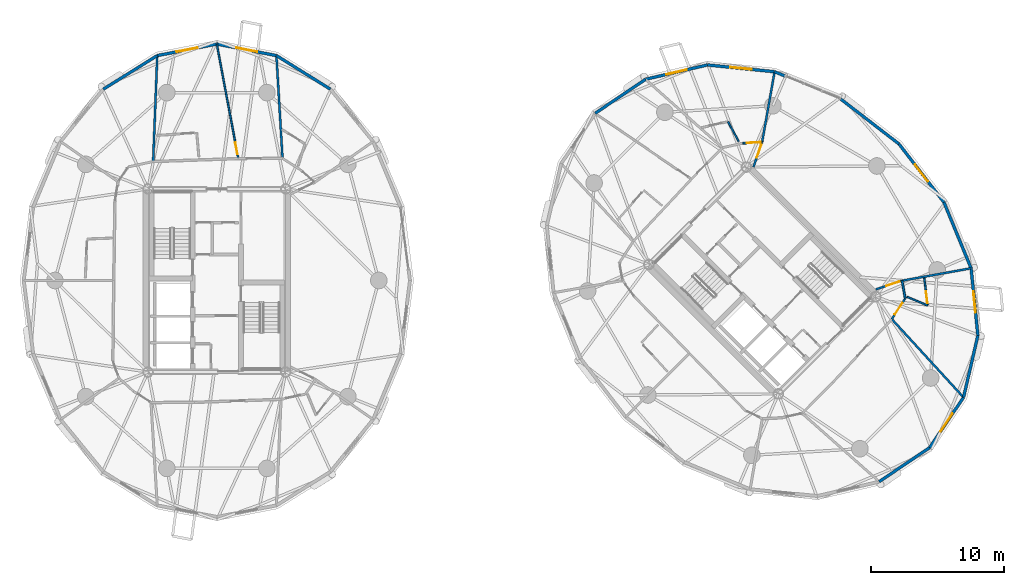
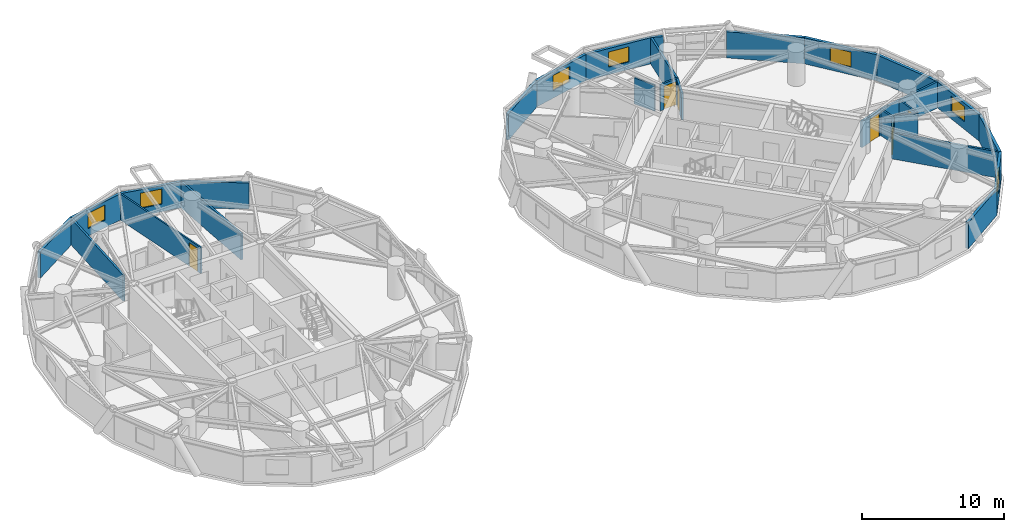
# One storey, part 15 of 18: 29 walls, 7 windows, 6 doors, 13 openings.
"""IFC4 building model written with IfcOpenShell, lengths in metres."""

from ifc_helpers import new_model, si_unit, direction, frame, frame_2d, origin, place, context, subcontext, project, spatial, rectangle, extrude, source, transform, mapped, material, layer, layer_set, type_object, element, fill, save


model = new_model("IFC4")

# Units and contexts
model_context = context("Model", 3, precision=1e-05, world=origin(), true_north=direction((0.0, 1.0)))
body_context = subcontext(model_context, "Body", "Model", "MODEL_VIEW")
ifc_project = project(units=[si_unit("LENGTHUNIT", "METRE"), si_unit("AREAUNIT", "SQUARE_METRE"), si_unit("VOLUMEUNIT", "CUBIC_METRE"), si_unit("PLANEANGLEUNIT", "RADIAN"), si_unit("MASSUNIT", "GRAM", prefix="KILO")], contexts=[model_context])

# Site, building, storey
site_placement = place(None, origin())
site = spatial("IfcSite", under=ifc_project, at=site_placement, CompositionType="ELEMENT")
building_placement = place(site_placement, origin())
building = spatial("IfcBuilding", under=site, at=building_placement, Name="Cununo Teusaquillo Station Towers", CompositionType="ELEMENT")
storey_placement = place(building_placement, frame((0.0, 0.0, 157.419921875)))
storey = spatial("IfcBuildingStorey", under=building, at=storey_placement, Name="L49", CompositionType="ELEMENT", Elevation=157.419921875)

# Wall
ifc_material_1 = material(Name="Precast concrete C40/50", Category="concrete")
ifc_layer_1 = layer(ifc_material_1, 0.219970703125)
ifc_layer_set_1 = layer_set([ifc_layer_1], Name="Precast concrete C40/50")
wall_type_1 = type_object("IfcWallType", Name="WL-EXT-220", PredefinedType="SOLIDWALL", material=ifc_layer_set_1)
wall_1_placement = place(storey_placement, frame((20.9853515625, 41.400390625, 0.0), z_axis=(0.0, 0.0, 1.0), x_axis=(0.848452391194, -0.529271707044, 0.0)))
element("IfcWall", 1, at=wall_1_placement, inside=storey, type_object=wall_type_1, Name="L49 Tower A Exterior Facade Wall C03", PredefinedType="SOLIDWALL", context=body_context, shape_type="SweptSolid", body=[
    extrude(rectangle(XDim=4.76904296875, YDim=0.219970703125, at=frame_2d((2.384521484375, 0.0))), origin(), (0.0, 0.0, 1.0), 2.2451171875),
])

# Wall, opening, window
wall_2_placement = place(storey_placement, frame((16.5, 42.27001953125, 0.0), z_axis=(0.0, 0.0, 1.0), x_axis=(0.981718699963, -0.190337579429, 0.0)))
wall_2 = element("IfcWall", 2, at=wall_2_placement, inside=storey, type_object=wall_type_1, Name="L49 Tower A Exterior Facade Wall C04", PredefinedType="SOLIDWALL", context=body_context, shape_type="SweptSolid", body=[
    extrude(rectangle(XDim=4.56884765625, YDim=0.219970703125, at=frame_2d((2.284423828125, 0.0))), origin(), (0.0, 0.0, 1.0), 2.2451171875),
])
shared_shape_1 = source(origin(), body_context, "Body", "SweptSolid", [
    extrude(rectangle(XDim=1.60009765625, YDim=1.300048828125, at=frame_2d((0.800048828125, 0.64990234375))), frame((0.0, 0.119873046875, 0.0), z_axis=(0.0, -1.0, 0.0), x_axis=(1.0, 0.0, 0.0)), (0.0, 0.0, 1.0), 0.239990234375),
])
opening_1_placement = place(wall_2_placement, frame((1.48388671875, 0.0, 0.64990234375)))
opening_1 = element("IfcOpeningElement", 3, at=opening_1_placement, cuts=wall_2, Name="Opening WN-03", PredefinedType="OPENING", context=body_context, shape_type="MappedRepresentation", body=[
    mapped(shared_shape_1, transform((0.0, 0.0, 0.0), x_axis=(1.0, 0.0, 0.0), y_axis=(0.0, 1.0, 0.0), z_axis=(0.0, 0.0, 1.0), scale=1.0)),
])
ifc_material_2 = material(Name="Ceramic-fritted dark low-E double glazing", Category="glass")
window_type = type_object("IfcWindowType", Name="WIN-CORN-1600", PartitioningType="SINGLE_PANEL", PredefinedType="WINDOW", material=ifc_material_2)
shared_shape_2 = source(origin(), body_context, "Body", "SweptSolid", [
    extrude(rectangle(XDim=1.60009765625, YDim=1.300048828125, at=frame_2d((0.800048828125, 0.64990234375))), frame((0.0, 0.030029296875, 0.0), z_axis=(0.0, -1.0, 0.0), x_axis=(1.0, 0.0, 0.0)), (0.0, 0.0, 1.0), 0.06005859375),
])
window_1_placement = place(opening_1_placement, origin())
window_1 = element("IfcWindow", 4, at=window_1_placement, inside=storey, type_object=window_type, Name="L49 Tower A Facade Window C04", OverallHeight=1.300048828125, OverallWidth=1.60009765625, PartitioningType="SINGLE_PANEL", PredefinedType="WINDOW", context=body_context, shape_type="MappedRepresentation", body=[
    mapped(shared_shape_2, transform((0.0, 0.0, 0.0), x_axis=(1.0, 0.0, 0.0), y_axis=(0.0, 1.0, 0.0), z_axis=(0.0, 0.0, 1.0), scale=1.0)),
])
fill(opening_1, window_1)

wall_3_placement = place(storey_placement, frame((12.0146484375, 41.400390625, 0.0), z_axis=(0.0, 0.0, 1.0), x_axis=(0.981718699963, 0.190337579429, 0.0)))
wall_3 = element("IfcWall", 5, at=wall_3_placement, inside=storey, type_object=wall_type_1, Name="L49 Tower A Exterior Facade Wall C05", PredefinedType="SOLIDWALL", context=body_context, shape_type="SweptSolid", body=[
    extrude(rectangle(XDim=4.56884765625, YDim=0.219970703125, at=frame_2d((2.284423828125, 0.0))), origin(), (0.0, 0.0, 1.0), 2.2451171875),
])
opening_2_placement = place(wall_3_placement, frame((1.48388671875, 0.0, 0.64990234375)))
opening_2 = element("IfcOpeningElement", 6, at=opening_2_placement, cuts=wall_3, Name="Opening WN-03", PredefinedType="OPENING", context=body_context, shape_type="MappedRepresentation", body=[
    mapped(shared_shape_1, transform((0.0, 0.0, 0.0), x_axis=(1.0, 0.0, 0.0), y_axis=(0.0, 1.0, 0.0), z_axis=(0.0, 0.0, 1.0), scale=1.0)),
])
window_2_placement = place(opening_2_placement, origin())
window_2 = element("IfcWindow", 7, at=window_2_placement, inside=storey, type_object=window_type, Name="L49 Tower A Facade Window C05", OverallHeight=1.300048828125, OverallWidth=1.60009765625, PartitioningType="SINGLE_PANEL", PredefinedType="WINDOW", context=body_context, shape_type="MappedRepresentation", body=[
    mapped(shared_shape_2, transform((0.0, 0.0, 0.0), x_axis=(1.0, 0.0, 0.0), y_axis=(0.0, 1.0, 0.0), z_axis=(0.0, 0.0, 1.0), scale=1.0)),
])
fill(opening_2, window_2)

# Walls
wall_4_placement = place(storey_placement, frame((7.96826171875, 38.876220703125, 0.0), z_axis=(0.0, 0.0, 1.0), x_axis=(0.848452391194, 0.529271707044, 0.0)))
element("IfcWall", 8, at=wall_4_placement, inside=storey, type_object=wall_type_1, Name="L49 Tower A Exterior Facade Wall C06", PredefinedType="SOLIDWALL", context=body_context, shape_type="SweptSolid", body=[
    extrude(rectangle(XDim=4.76904296875, YDim=0.219970703125, at=frame_2d((2.384521484375, 0.0))), origin(), (0.0, 0.0, 1.0), 2.2451171875),
])
wall_5_placement = place(storey_placement, frame((63.37841796875, 38.144287109375, 0.0), z_axis=(0.0, 0.0, 1.0), x_axis=(0.791982658323, -0.610543584779, 0.0)))
element("IfcWall", 9, at=wall_5_placement, inside=storey, type_object=wall_type_1, Name="L49 Tower B Exterior Facade Wall C00", PredefinedType="SOLIDWALL", context=body_context, shape_type="SweptSolid", body=[
    extrude(rectangle(XDim=5.537109375, YDim=0.219970703125, at=frame_2d((2.7685546875, 0.0))), origin(), (0.0, 0.0, 1.0), 2.2451171875),
])
wall_6_placement = place(storey_placement, frame((58.417724609375, 40.189208984375, 0.0), z_axis=(0.0, 0.0, 1.0), x_axis=(0.924556017656, -0.381046152345, 0.0)))
element("IfcWall", 10, at=wall_6_placement, inside=storey, type_object=wall_type_1, Name="L49 Tower B Column Pier Cladding Wall C01-PA", PredefinedType="SOLIDWALL", context=body_context, shape_type="SweptSolid", body=[
    extrude(rectangle(XDim=0.8701171875, YDim=0.219970703125, at=frame_2d((0.43505859375, 0.0))), origin(), (0.0, 0.0, 1.0), 2.2451171875),
])

# Wall, opening, window
wall_7_placement = place(storey_placement, frame((53.3671875, 40.6982421875, 0.0), z_axis=(0.0, 0.0, 1.0), x_axis=(0.994959267396, -0.100279889424, 0.0)))
wall_7 = element("IfcWall", 11, at=wall_7_placement, inside=storey, type_object=wall_type_1, Name="L49 Tower B Exterior Facade Wall C02", PredefinedType="SOLIDWALL", context=body_context, shape_type="SweptSolid", body=[
    extrude(rectangle(XDim=5.076171875, YDim=0.219970703125, at=frame_2d((2.5380859375, 0.0))), origin(), (0.0, 0.0, 1.0), 2.2451171875),
])
opening_3_placement = place(wall_7_placement, frame((1.738037109375, 0.0, 0.64990234375)))
opening_3 = element("IfcOpeningElement", 12, at=opening_3_placement, cuts=wall_7, Name="Opening WN-03", PredefinedType="OPENING", context=body_context, shape_type="MappedRepresentation", body=[
    mapped(shared_shape_1, transform((0.0, 0.0, 0.0), x_axis=(1.0, 0.0, 0.0), y_axis=(0.0, 1.0, 0.0), z_axis=(0.0, 0.0, 1.0), scale=1.0)),
])
window_3_placement = place(opening_3_placement, origin())
window_3 = element("IfcWindow", 13, at=window_3_placement, inside=storey, type_object=window_type, Name="L49 Tower B Facade Window C02", OverallHeight=1.300048828125, OverallWidth=1.60009765625, PartitioningType="SINGLE_PANEL", PredefinedType="WINDOW", context=body_context, shape_type="MappedRepresentation", body=[
    mapped(shared_shape_2, transform((0.0, 0.0, 0.0), x_axis=(1.0, 0.0, 0.0), y_axis=(0.0, 1.0, 0.0), z_axis=(0.0, 0.0, 1.0), scale=1.0)),
])
fill(opening_3, window_3)

wall_8_placement = place(storey_placement, frame((48.72119140625, 39.6220703125, 0.0), z_axis=(0.0, 0.0, 1.0), x_axis=(0.974206226622, 0.225659540039, 0.0)))
wall_8 = element("IfcWall", 14, at=wall_8_placement, inside=storey, type_object=wall_type_1, Name="L49 Tower B Exterior Facade Wall C03", PredefinedType="SOLIDWALL", context=body_context, shape_type="SweptSolid", body=[
    extrude(rectangle(XDim=4.76904296875, YDim=0.219970703125, at=frame_2d((2.384521484375, 0.0))), origin(), (0.0, 0.0, 1.0), 2.2451171875),
])
opening_4_placement = place(wall_8_placement, frame((1.5849609375, 0.0, 0.64990234375)))
opening_4 = element("IfcOpeningElement", 15, at=opening_4_placement, cuts=wall_8, Name="Opening WN-03", PredefinedType="OPENING", context=body_context, shape_type="MappedRepresentation", body=[
    mapped(shared_shape_1, transform((0.0, 0.0, 0.0), x_axis=(1.0, 0.0, 0.0), y_axis=(0.0, 1.0, 0.0), z_axis=(0.0, 0.0, 1.0), scale=1.0)),
])
window_4_placement = place(opening_4_placement, origin())
window_4 = element("IfcWindow", 16, at=window_4_placement, inside=storey, type_object=window_type, Name="L49 Tower B Facade Window C03", OverallHeight=1.300048828125, OverallWidth=1.60009765625, PartitioningType="SINGLE_PANEL", PredefinedType="WINDOW", context=body_context, shape_type="MappedRepresentation", body=[
    mapped(shared_shape_2, transform((0.0, 0.0, 0.0), x_axis=(1.0, 0.0, 0.0), y_axis=(0.0, 1.0, 0.0), z_axis=(0.0, 0.0, 1.0), scale=1.0)),
])
fill(opening_4, window_4)

# Walls
for number, where, z_axis, x_axis, name in (
    (17, (44.934814453125, 37.065185546875, 0.0), (0.0, 0.0, 1.0), (0.828739009952, 0.559635286042, 0.0), "L49 Tower B Exterior Facade Wall C04"),
    (18, (70.065185546875, 11.934814453125, 0.0), (0.0, 0.0, 1.0), (-0.828739009952, -0.559635286042, 0.0), "L49 Tower B Exterior Facade Wall C14"),
):
    element("IfcWall", number, at=place(storey_placement, frame(where, z_axis=z_axis, x_axis=x_axis)), inside=storey, type_object=wall_type_1, Name=name, PredefinedType="SOLIDWALL", context=body_context, shape_type="SweptSolid", body=[
        extrude(rectangle(XDim=4.56884765625, YDim=0.219970703125, at=frame_2d((2.284423828125, 0.0))), origin(), (0.0, 0.0, 1.0), 2.2451171875),
    ])

# Wall, opening, window
wall_9_placement = place(storey_placement, frame((72.6220703125, 15.72119140625, 0.0), z_axis=(0.0, 0.0, 1.0), x_axis=(-0.559635286042, -0.828739009952, 0.0)))
wall_9 = element("IfcWall", 19, at=wall_9_placement, inside=storey, type_object=wall_type_1, Name="L49 Tower B Exterior Facade Wall C15", PredefinedType="SOLIDWALL", context=body_context, shape_type="SweptSolid", body=[
    extrude(rectangle(XDim=4.56884765625, YDim=0.219970703125, at=frame_2d((2.284423828125, 0.0))), origin(), (0.0, 0.0, 1.0), 2.2451171875),
])
opening_5_placement = place(wall_9_placement, frame((1.48388671875, 0.0, 0.64990234375)))
opening_5 = element("IfcOpeningElement", 20, at=opening_5_placement, cuts=wall_9, Name="Opening WN-03", PredefinedType="OPENING", context=body_context, shape_type="MappedRepresentation", body=[
    mapped(shared_shape_1, transform((0.0, 0.0, 0.0), x_axis=(1.0, 0.0, 0.0), y_axis=(0.0, 1.0, 0.0), z_axis=(0.0, 0.0, 1.0), scale=1.0)),
])
window_5_placement = place(opening_5_placement, origin())
window_5 = element("IfcWindow", 21, at=window_5_placement, inside=storey, type_object=window_type, Name="L49 Tower B Facade Window C15", OverallHeight=1.300048828125, OverallWidth=1.60009765625, PartitioningType="SINGLE_PANEL", PredefinedType="WINDOW", context=body_context, shape_type="MappedRepresentation", body=[
    mapped(shared_shape_2, transform((0.0, 0.0, 0.0), x_axis=(1.0, 0.0, 0.0), y_axis=(0.0, 1.0, 0.0), z_axis=(0.0, 0.0, 1.0), scale=1.0)),
])
fill(opening_5, window_5)

# Wall
wall_10_placement = place(storey_placement, frame((73.6982421875, 20.3671875, 0.0), z_axis=(0.0, 0.0, 1.0), x_axis=(-0.225659540039, -0.974206226622, 0.0)))
element("IfcWall", 22, at=wall_10_placement, inside=storey, type_object=wall_type_1, Name="L49 Tower B Exterior Facade Wall C16", PredefinedType="SOLIDWALL", context=body_context, shape_type="SweptSolid", body=[
    extrude(rectangle(XDim=4.76904296875, YDim=0.219970703125, at=frame_2d((2.384521484375, 0.0))), origin(), (0.0, 0.0, 1.0), 2.2451171875),
])

# Wall, opening, window
wall_11_placement = place(storey_placement, frame((73.189208984375, 25.417724609375, 0.0), z_axis=(0.0, 0.0, 1.0), x_axis=(0.100279889424, -0.994959267396, 0.0)))
wall_11 = element("IfcWall", 23, at=wall_11_placement, inside=storey, type_object=wall_type_1, Name="L49 Tower B Exterior Facade Wall C17", PredefinedType="SOLIDWALL", context=body_context, shape_type="SweptSolid", body=[
    extrude(rectangle(XDim=5.076171875, YDim=0.219970703125, at=frame_2d((2.5380859375, 0.0))), origin(), (0.0, 0.0, 1.0), 2.2451171875),
])
opening_6_placement = place(wall_11_placement, frame((1.738037109375, 0.0, 0.64990234375)))
opening_6 = element("IfcOpeningElement", 24, at=opening_6_placement, cuts=wall_11, Name="Opening WN-03", PredefinedType="OPENING", context=body_context, shape_type="MappedRepresentation", body=[
    mapped(shared_shape_1, transform((0.0, 0.0, 0.0), x_axis=(1.0, 0.0, 0.0), y_axis=(0.0, 1.0, 0.0), z_axis=(0.0, 0.0, 1.0), scale=1.0)),
])
window_6_placement = place(opening_6_placement, origin())
window_6 = element("IfcWindow", 25, at=window_6_placement, inside=storey, type_object=window_type, Name="L49 Tower B Facade Window C17", OverallHeight=1.300048828125, OverallWidth=1.60009765625, PartitioningType="SINGLE_PANEL", PredefinedType="WINDOW", context=body_context, shape_type="MappedRepresentation", body=[
    mapped(shared_shape_2, transform((0.0, 0.0, 0.0), x_axis=(1.0, 0.0, 0.0), y_axis=(0.0, 1.0, 0.0), z_axis=(0.0, 0.0, 1.0), scale=1.0)),
])
fill(opening_6, window_6)

# Wall
wall_12_placement = place(storey_placement, frame((71.144287109375, 30.37841796875, 0.0), z_axis=(0.0, 0.0, 1.0), x_axis=(0.38111364655, -0.924528197738, 0.0)))
element("IfcWall", 26, at=wall_12_placement, inside=storey, type_object=wall_type_1, Name="L49 Tower B Exterior Facade Wall C18", PredefinedType="SOLIDWALL", context=body_context, shape_type="SweptSolid", body=[
    extrude(rectangle(XDim=5.36572265625, YDim=0.219970703125, at=frame_2d((2.682861328125, 0.0))), origin(), (0.0, 0.0, 1.0), 2.2451171875),
])

# Wall, opening, window
wall_13_placement = place(storey_placement, frame((67.763671875, 34.763671875, 0.0), z_axis=(0.0, 0.0, 1.0), x_axis=(0.610543584779, -0.791982658323, 0.0)))
wall_13 = element("IfcWall", 27, at=wall_13_placement, inside=storey, type_object=wall_type_1, Name="L49 Tower B Exterior Facade Wall C19", PredefinedType="SOLIDWALL", context=body_context, shape_type="SweptSolid", body=[
    extrude(rectangle(XDim=5.537109375, YDim=0.219970703125, at=frame_2d((2.7685546875, 0.0))), origin(), (0.0, 0.0, 1.0), 2.2451171875),
])
opening_7_placement = place(wall_13_placement, frame((1.968017578125, 0.0, 0.64990234375)))
opening_7 = element("IfcOpeningElement", 28, at=opening_7_placement, cuts=wall_13, Name="Opening WN-03", PredefinedType="OPENING", context=body_context, shape_type="MappedRepresentation", body=[
    mapped(shared_shape_1, transform((0.0, 0.0, 0.0), x_axis=(1.0, 0.0, 0.0), y_axis=(0.0, 1.0, 0.0), z_axis=(0.0, 0.0, 1.0), scale=1.0)),
])
window_7_placement = place(opening_7_placement, origin())
window_7 = element("IfcWindow", 29, at=window_7_placement, inside=storey, type_object=window_type, Name="L49 Tower B Facade Window C19", OverallHeight=1.300048828125, OverallWidth=1.60009765625, PartitioningType="SINGLE_PANEL", PredefinedType="WINDOW", context=body_context, shape_type="MappedRepresentation", body=[
    mapped(shared_shape_2, transform((0.0, 0.0, 0.0), x_axis=(1.0, 0.0, 0.0), y_axis=(0.0, 1.0, 0.0), z_axis=(0.0, 0.0, 1.0), scale=1.0)),
])
fill(opening_7, window_7)

# Wall, opening, door
ifc_material_3 = material(Name="Fire-rated gypsum plasterboard partition assembly", Category="gypsum")
ifc_layer_2 = layer(ifc_material_3, 0.125)
ifc_layer_set_2 = layer_set([ifc_layer_2], Name="Fire-rated gypsum plasterboard partition assembly")
wall_type_2 = type_object("IfcWallType", Name="WL-PART-125", PredefinedType="PARTITIONING", material=ifc_layer_set_2)
wall_14_placement = place(storey_placement, frame((18.1123046875, 33.659423828125, 0.0), z_axis=(0.0, 0.0, 1.0), x_axis=(-0.18446223694, 0.982839601941, 0.0)))
wall_14 = element("IfcWall", 30, at=wall_14_placement, inside=storey, type_object=wall_type_2, Name="L49 Tower A Cloud-Forest Hotel Suite Suite Subdividing Wall", PredefinedType="PARTITIONING", context=body_context, shape_type="SweptSolid", body=[
    extrude(rectangle(XDim=8.740478515625, YDim=0.125, at=frame_2d((4.3701171875, 0.0))), origin(), (0.0, 0.0, 1.0), 2.2451171875),
])
shared_shape_3 = source(origin(), body_context, "Body", "SweptSolid", [
    extrude(rectangle(XDim=0.89990234375, YDim=2.0048828125, at=frame_2d((0.449951171875, 1.00244140625))), frame((0.0, 0.072509765625, 0.0), z_axis=(0.0, -1.0, 0.0), x_axis=(1.0, 0.0, 0.0)), (0.0, 0.0, 1.0), 0.14501953125),
])
opening_8_placement = place(wall_14_placement, frame((0.330078125, 0.0, 0.0)))
opening_8 = element("IfcOpeningElement", 31, at=opening_8_placement, cuts=wall_14, Name="Opening D-IN1", PredefinedType="OPENING", context=body_context, shape_type="MappedRepresentation", body=[
    mapped(shared_shape_3, transform((0.0, 0.0, 0.0), x_axis=(1.0, 0.0, 0.0), y_axis=(0.0, 1.0, 0.0), z_axis=(0.0, 0.0, 1.0), scale=1.0)),
])
ifc_material_4 = material(Name="Acoustic solid-core hardwood leaf assembly", Category="wood")
door_type_1 = type_object("IfcDoorType", Name="DR-INT-900", OperationType="NOTDEFINED", PredefinedType="DOOR", material=ifc_material_4)
shared_shape_4 = source(origin(), body_context, "Body", "SweptSolid", [
    extrude(rectangle(XDim=0.89990234375, YDim=2.0048828125, at=frame_2d((0.449951171875, 1.00244140625))), frame((0.0, 0.02490234375, 0.0), z_axis=(0.0, -1.0, 0.0), x_axis=(1.0, 0.0, 0.0)), (0.0, 0.0, 1.0), 0.050048828125),
])
door_1_placement = place(opening_8_placement, origin())
door_1 = element("IfcDoor", 32, at=door_1_placement, inside=storey, type_object=door_type_1, Name="L49 Tower A Cloud-Forest Hotel Suite Suite Connecting Door", OperationType="SINGLE_SWING_RIGHT", OverallHeight=2.0048828125, OverallWidth=0.89990234375, PredefinedType="DOOR", context=body_context, shape_type="MappedRepresentation", body=[
    mapped(shared_shape_4, transform((0.0, 0.0, 0.0), x_axis=(1.0, 0.0, 0.0), y_axis=(0.0, 1.0, 0.0), z_axis=(0.0, 0.0, 1.0), scale=1.0)),
])
fill(opening_8, door_1)

# Walls
wall_15_placement = place(storey_placement, frame((55.722412109375, 34.94384765625, 0.0), z_axis=(0.0, 0.0, 1.0), x_axis=(-0.473482169178, 0.880803403417, 0.0)))
element("IfcWall", 33, at=wall_15_placement, inside=storey, type_object=wall_type_2, Name="L49 Tower B S01 En-suite Side Wall", PredefinedType="PARTITIONING", context=body_context, shape_type="SweptSolid", body=[
    extrude(rectangle(XDim=1.697509765625, YDim=0.125, at=frame_2d((0.8486328125, 0.0))), origin(), (0.0, 0.0, 1.0), 2.2451171875),
])
wall_16_placement = place(storey_placement, frame((68.366943359375, 23.270751953125, 0.0), z_axis=(0.0, 0.0, 1.0), x_axis=(0.922420747941, -0.386186436541, 0.0)))
element("IfcWall", 34, at=wall_16_placement, inside=storey, type_object=wall_type_2, Name="L49 Tower B S08 En-suite Side Wall", PredefinedType="PARTITIONING", context=body_context, shape_type="SweptSolid", body=[
    extrude(rectangle(XDim=1.69873046875, YDim=0.125, at=frame_2d((0.849365234375, 0.0))), origin(), (0.0, 0.0, 1.0), 2.31201171875),
])

# Wall, opening, door
wall_17_placement = place(storey_placement, frame((69.925537109375, 22.677734375, 0.0), z_axis=(0.0, 0.0, 1.0), x_axis=(-0.128245661315, 0.991742431458, 0.0)))
wall_17 = element("IfcWall", 35, at=wall_17_placement, inside=storey, type_object=wall_type_2, Name="L49 Tower B S08 En-suite Back Wall", PredefinedType="PARTITIONING", context=body_context, shape_type="SweptSolid", body=[
    extrude(rectangle(XDim=2.033203125, YDim=0.125, at=frame_2d((1.0166015625, 0.0))), origin(), (0.0, 0.0, 1.0), 2.31201171875),
])
opening_9_placement = place(wall_17_placement, frame((0.1201171875, 0.0, 0.0)))
opening_9 = element("IfcOpeningElement", 36, at=opening_9_placement, cuts=wall_17, Name="Opening D-IN1", PredefinedType="OPENING", context=body_context, shape_type="MappedRepresentation", body=[
    mapped(shared_shape_3, transform((0.0, 0.0, 0.0), x_axis=(1.0, 0.0, 0.0), y_axis=(0.0, 1.0, 0.0), z_axis=(0.0, 0.0, 1.0), scale=1.0)),
])
door_2_placement = place(opening_9_placement, origin())
door_2 = element("IfcDoor", 37, at=door_2_placement, inside=storey, type_object=door_type_1, Name="L49 Tower B S08 En-suite Bathroom Door", OperationType="SINGLE_SWING_LEFT", OverallHeight=2.0048828125, OverallWidth=0.89990234375, PredefinedType="DOOR", context=body_context, shape_type="MappedRepresentation", body=[
    mapped(shared_shape_4, transform((0.0, 0.0, 0.0), x_axis=(1.0, 0.0, 0.0), y_axis=(0.0, 1.0, 0.0), z_axis=(0.0, 0.0, 1.0), scale=1.0)),
])
fill(opening_9, door_2)

ifc_material_5 = material(Name="Fire-rated gypsum plasterboard partition assembly", Category="gypsum")
ifc_layer_3 = layer(ifc_material_5, 0.14990234375)
ifc_layer_set_3 = layer_set([ifc_layer_3], Name="Fire-rated gypsum plasterboard partition assembly")
wall_type_3 = type_object("IfcWallType", Name="WL-PART-150", PredefinedType="PARTITIONING", material=ifc_layer_set_3)
wall_18_placement = place(storey_placement, frame((57.48193359375, 34.899169921875, 0.0), z_axis=(0.0, 0.0, 1.0), x_axis=(-0.998466026722, -0.055367801852, 0.0)))
wall_18 = element("IfcWall", 38, at=wall_18_placement, inside=storey, type_object=wall_type_3, Name="L49 Tower B Corridor Ring Wall C02", PredefinedType="PARTITIONING", context=body_context, shape_type="SweptSolid", body=[
    extrude(rectangle(XDim=1.455078125, YDim=0.14990234375, at=frame_2d((0.7275390625, 0.0))), origin(), (0.0, 0.0, 1.0), 2.2451171875),
])
shared_shape_5 = source(origin(), body_context, "Body", "SweptSolid", [
    extrude(rectangle(XDim=1.050048828125, YDim=2.014892578125, at=frame_2d((0.52490234375, 1.00732421875))), frame((0.0, 0.0849609375, 0.0), z_axis=(0.0, -1.0, 0.0), x_axis=(1.0, 0.0, 0.0)), (0.0, 0.0, 1.0), 0.169921875),
])
opening_10_placement = place(wall_18_placement, frame((0.1201171875, 0.0, 0.0)))
opening_10 = element("IfcOpeningElement", 39, at=opening_10_placement, cuts=wall_18, Name="Opening D-SU1", PredefinedType="OPENING", context=body_context, shape_type="MappedRepresentation", body=[
    mapped(shared_shape_5, transform((0.0, 0.0, 0.0), x_axis=(1.0, 0.0, 0.0), y_axis=(0.0, 1.0, 0.0), z_axis=(0.0, 0.0, 1.0), scale=1.0)),
])
ifc_material_6 = material(Name="Acoustic solid-core hardwood leaf assembly", Category="wood")
door_type_2 = type_object("IfcDoorType", Name="DR-SUITE-1050", OperationType="NOTDEFINED", PredefinedType="DOOR", material=ifc_material_6)
shared_shape_6 = source(origin(), body_context, "Body", "SweptSolid", [
    extrude(rectangle(XDim=1.050048828125, YDim=2.014892578125, at=frame_2d((0.52490234375, 1.00732421875))), frame((0.0, 0.02490234375, 0.0), z_axis=(0.0, -1.0, 0.0), x_axis=(1.0, 0.0, 0.0)), (0.0, 0.0, 1.0), 0.050048828125),
])
door_3_placement = place(opening_10_placement, origin())
door_3 = element("IfcDoor", 40, at=door_3_placement, inside=storey, type_object=door_type_2, Name="L49 Tower B Grand Panorama Hotel Suite Entrance Door", OperationType="SINGLE_SWING_LEFT", OverallHeight=2.014892578125, OverallWidth=1.050048828125, PredefinedType="DOOR", context=body_context, shape_type="MappedRepresentation", body=[
    mapped(shared_shape_6, transform((0.0, 0.0, 0.0), x_axis=(1.0, 0.0, 0.0), y_axis=(0.0, 1.0, 0.0), z_axis=(0.0, 0.0, 1.0), scale=1.0)),
])
fill(opening_10, door_3)

wall_19_placement = place(storey_placement, frame((67.22998046875, 21.59521484375, 0.0), z_axis=(0.0, 0.0, 1.0), x_axis=(0.543687770222, 0.839287560084, 0.0)))
wall_19 = element("IfcWall", 41, at=wall_19_placement, inside=storey, type_object=wall_type_3, Name="L49 Tower B Corridor Ring Wall C16", PredefinedType="PARTITIONING", context=body_context, shape_type="SweptSolid", body=[
    extrude(rectangle(XDim=1.85498046875, YDim=0.14990234375, at=frame_2d((0.927490234375, 0.0))), origin(), (0.0, 0.0, 1.0), 2.2451171875),
])
opening_11_placement = place(wall_19_placement, frame((0.40234375, 0.0, 0.0)))
opening_11 = element("IfcOpeningElement", 42, at=opening_11_placement, cuts=wall_19, Name="Opening D-SU1", PredefinedType="OPENING", context=body_context, shape_type="MappedRepresentation", body=[
    mapped(shared_shape_5, transform((0.0, 0.0, 0.0), x_axis=(1.0, 0.0, 0.0), y_axis=(0.0, 1.0, 0.0), z_axis=(0.0, 0.0, 1.0), scale=1.0)),
])
door_4_placement = place(opening_11_placement, origin())
door_4 = element("IfcDoor", 43, at=door_4_placement, inside=storey, type_object=door_type_2, Name="L49 Tower B Monserrate View Hotel Suite Entrance Door", OperationType="SINGLE_SWING_RIGHT", OverallHeight=2.014892578125, OverallWidth=1.050048828125, PredefinedType="DOOR", context=body_context, shape_type="MappedRepresentation", body=[
    mapped(shared_shape_6, transform((0.0, 0.0, 0.0), x_axis=(1.0, 0.0, 0.0), y_axis=(0.0, 1.0, 0.0), z_axis=(0.0, 0.0, 1.0), scale=1.0)),
])
fill(opening_11, door_4)

# Walls
wall_20_placement = place(storey_placement, frame((68.238525390625, 23.152099609375, 0.0), z_axis=(0.0, 0.0, 1.0), x_axis=(-0.177076146115, 0.984197154272, 0.0)))
element("IfcWall", 44, at=wall_20_placement, inside=storey, type_object=wall_type_3, Name="L49 Tower B Corridor Ring Wall C17", PredefinedType="PARTITIONING", context=body_context, shape_type="SweptSolid", body=[
    extrude(rectangle(XDim=1.35400390625, YDim=0.14990234375, at=frame_2d((0.677001953125, 0.0))), origin(), (0.0, 0.0, 1.0), 2.2451171875),
])
ifc_material_7 = material(Name="Fire-rated gypsum plasterboard partition assembly", Category="gypsum")
ifc_layer_4 = layer(ifc_material_7, 0.159912109375)
ifc_layer_set_4 = layer_set([ifc_layer_4], Name="Fire-rated gypsum plasterboard partition assembly")
wall_type_4 = type_object("IfcWallType", Name="WL-PART-160", PredefinedType="PARTITIONING", material=ifc_layer_set_4)
wall_21_placement = place(storey_placement, frame((21.435302734375, 33.676513671875, 0.0), z_axis=(0.0, 0.0, 1.0), x_axis=(-0.059087305226, 0.99825281886, 0.0)))
element("IfcWall", 45, at=wall_21_placement, inside=storey, type_object=wall_type_4, Name="L49 Tower A Radial Suite Partition R02", PredefinedType="PARTITIONING", context=body_context, shape_type="SweptSolid", body=[
    extrude(rectangle(XDim=7.71826171875, YDim=0.159912109375, at=frame_2d((3.859130859375, 0.0))), origin(), (0.0, 0.0, 1.0), 2.2451171875),
])
wall_22_placement = place(storey_placement, frame((11.711669921875, 33.440185546875, 0.0), z_axis=(0.0, 0.0, 1.0), x_axis=(0.038892064024, 0.999243417469, 0.0)))
element("IfcWall", 46, at=wall_22_placement, inside=storey, type_object=wall_type_4, Name="L49 Tower A Radial Suite Partition R03", PredefinedType="PARTITIONING", context=body_context, shape_type="SweptSolid", body=[
    extrude(rectangle(XDim=7.947265625, YDim=0.159912109375, at=frame_2d((3.9736328125, 0.0))), origin(), (0.0, 0.0, 1.0), 2.2451171875),
])
wall_23_placement = place(storey_placement, frame((57.48193359375, 34.899169921875, 0.0), z_axis=(0.0, 0.0, 1.0), x_axis=(0.174251112754, 0.98470124896, 0.0)))
element("IfcWall", 47, at=wall_23_placement, inside=storey, type_object=wall_type_4, Name="L49 Tower B Radial Suite Partition R01", PredefinedType="PARTITIONING", context=body_context, shape_type="SweptSolid", body=[
    extrude(rectangle(XDim=5.35205078125, YDim=0.159912109375, at=frame_2d((2.676025390625, 0.0))), origin(), (0.0, 0.0, 1.0), 2.2451171875),
])
wall_24_placement = place(storey_placement, frame((67.22998046875, 21.59521484375, 0.0), z_axis=(0.0, 0.0, 1.0), x_axis=(0.67560509773, -0.737263692258, 0.0)))
element("IfcWall", 48, at=wall_24_placement, inside=storey, type_object=wall_type_4, Name="L49 Tower B Radial Suite Partition R08", PredefinedType="PARTITIONING", context=body_context, shape_type="SweptSolid", body=[
    extrude(rectangle(XDim=7.954833984375, YDim=0.159912109375, at=frame_2d((3.9775390625, 0.0))), origin(), (0.0, 0.0, 1.0), 2.2451171875),
])
wall_25_placement = place(storey_placement, frame((67.998779296875, 24.484619140625, 0.0), z_axis=(0.0, 0.0, 1.0), x_axis=(0.984209402602, 0.177008055834, 0.0)))
element("IfcWall", 49, at=wall_25_placement, inside=storey, type_object=wall_type_4, Name="L49 Tower B Radial Suite Partition R09", PredefinedType="PARTITIONING", context=body_context, shape_type="SweptSolid", body=[
    extrude(rectangle(XDim=5.253662109375, YDim=0.159912109375, at=frame_2d((2.626953125, 0.0))), origin(), (0.0, 0.0, 1.0), 2.2451171875),
])

# Wall, opening, door
wall_26_placement = place(storey_placement, frame((56.828125, 33.0205078125, 0.0), z_axis=(0.0, 0.0, 1.0), x_axis=(0.328682472103, 0.944440486496, 0.0)))
wall_26 = element("IfcWall", 50, at=wall_26_placement, inside=storey, type_object=wall_type_4, Name="L49 Tower B East Salon Corridor Portal Wall NE", PredefinedType="PARTITIONING", context=body_context, shape_type="SweptSolid", body=[
    extrude(rectangle(XDim=1.9892578125, YDim=0.159912109375, at=frame_2d((0.99462890625, 0.0))), origin(), (0.0, 0.0, 1.0), 2.2451171875),
])
shared_shape_7 = source(origin(), body_context, "Body", "SweptSolid", [
    extrude(rectangle(XDim=1.050048828125, YDim=2.014892578125, at=frame_2d((0.52490234375, 1.00732421875))), frame((0.0, 0.08984375, 0.0), z_axis=(0.0, -1.0, 0.0), x_axis=(1.0, 0.0, 0.0)), (0.0, 0.0, 1.0), 0.179931640625),
])
opening_12_placement = place(wall_26_placement, frame((0.739013671875, 0.0, 0.0)))
opening_12 = element("IfcOpeningElement", 51, at=opening_12_placement, cuts=wall_26, Name="Opening D-SU1", PredefinedType="OPENING", context=body_context, shape_type="MappedRepresentation", body=[
    mapped(shared_shape_7, transform((0.0, 0.0, 0.0), x_axis=(1.0, 0.0, 0.0), y_axis=(0.0, 1.0, 0.0), z_axis=(0.0, 0.0, 1.0), scale=1.0)),
])
door_5_placement = place(opening_12_placement, origin())
door_5 = element("IfcDoor", 52, at=door_5_placement, inside=storey, type_object=door_type_2, Name="L49 Tower B East Panorama Sky Salon Door NE", OperationType="SINGLE_SWING_LEFT", OverallHeight=2.014892578125, OverallWidth=1.050048828125, PredefinedType="DOOR", context=body_context, shape_type="MappedRepresentation", body=[
    mapped(shared_shape_6, transform((0.0, 0.0, 0.0), x_axis=(1.0, 0.0, 0.0), y_axis=(0.0, 1.0, 0.0), z_axis=(0.0, 0.0, 1.0), scale=1.0)),
])
fill(opening_12, door_5)

wall_27_placement = place(storey_placement, frame((66.0205078125, 23.828125, 0.0), z_axis=(0.0, 0.0, 1.0), x_axis=(0.949104122534, 0.314962481241, 0.0)))
wall_27 = element("IfcWall", 53, at=wall_27_placement, inside=storey, type_object=wall_type_4, Name="L49 Tower B East Salon Corridor Portal Wall SE", PredefinedType="PARTITIONING", context=body_context, shape_type="SweptSolid", body=[
    extrude(rectangle(XDim=2.08447265625, YDim=0.159912109375, at=frame_2d((1.042236328125, 0.0))), origin(), (0.0, 0.0, 1.0), 2.2451171875),
])
opening_13_placement = place(wall_27_placement, frame((0.834228515625, 0.0, 0.0)))
opening_13 = element("IfcOpeningElement", 54, at=opening_13_placement, cuts=wall_27, Name="Opening D-SU1", PredefinedType="OPENING", context=body_context, shape_type="MappedRepresentation", body=[
    mapped(shared_shape_7, transform((0.0, 0.0, 0.0), x_axis=(1.0, 0.0, 0.0), y_axis=(0.0, 1.0, 0.0), z_axis=(0.0, 0.0, 1.0), scale=1.0)),
])
door_6_placement = place(opening_13_placement, origin())
door_6 = element("IfcDoor", 55, at=door_6_placement, inside=storey, type_object=door_type_2, Name="L49 Tower B East Panorama Sky Salon Door SE", OperationType="SINGLE_SWING_RIGHT", OverallHeight=2.014892578125, OverallWidth=1.050048828125, PredefinedType="DOOR", context=body_context, shape_type="MappedRepresentation", body=[
    mapped(shared_shape_6, transform((0.0, 0.0, 0.0), x_axis=(1.0, 0.0, 0.0), y_axis=(0.0, 1.0, 0.0), z_axis=(0.0, 0.0, 1.0), scale=1.0)),
])
fill(opening_13, door_6)

save(model, "model.ifc")
